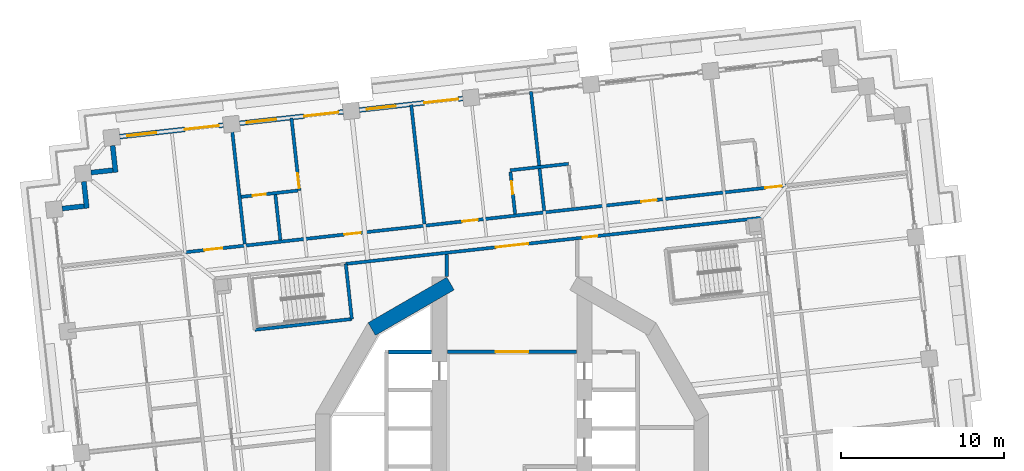
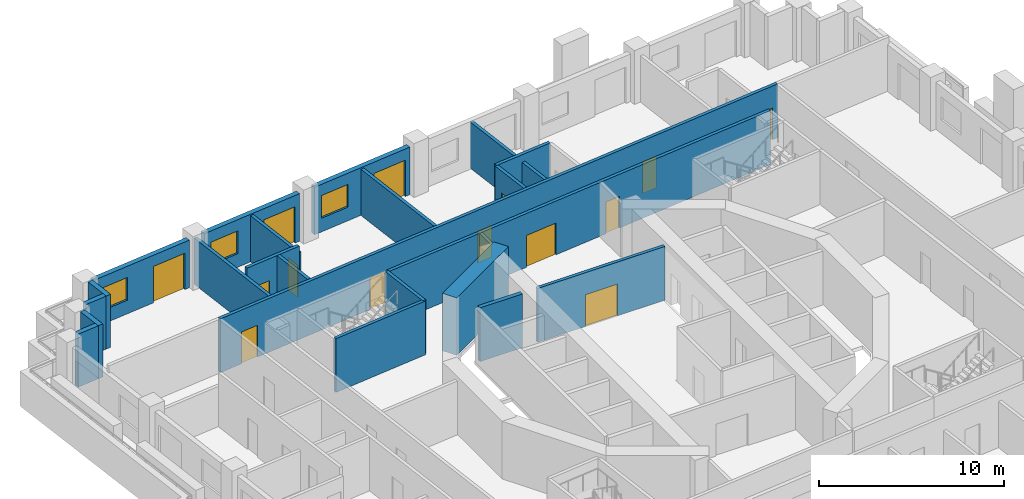
# One storey, part 8 of 18: 23 walls, 14 doors, 3 windows, 17 openings.
"""IFC4 building model written with IfcOpenShell, lengths in metres."""

from ifc_helpers import new_model, si_unit, direction, frame, frame_2d, origin, place, context, subcontext, project, spatial, rectangle, extrude, material, layer, layer_set, type_object, element, fill, save


model = new_model("IFC4")

# Units and contexts
model_context = context("Model", 3, precision=1e-05, world=origin(), true_north=direction((0.0, 1.0)))
body_context = subcontext(model_context, "Body", "Model", "MODEL_VIEW")
ifc_project = project(units=[si_unit("LENGTHUNIT", "METRE"), si_unit("AREAUNIT", "SQUARE_METRE"), si_unit("VOLUMEUNIT", "CUBIC_METRE"), si_unit("PLANEANGLEUNIT", "RADIAN"), si_unit("MASSUNIT", "GRAM", prefix="KILO")], contexts=[model_context])

# Site, building, storey
site_placement = place(None, origin())
site = spatial("IfcSite", under=ifc_project, at=site_placement, CompositionType="ELEMENT")
building_placement = place(site_placement, origin())
building = spatial("IfcBuilding", under=site, at=building_placement, Name="Cantera Rosa Tower", CompositionType="ELEMENT")
storey_placement = place(building_placement, frame((0.0, 0.0, 76.699951171875)))
storey = spatial("IfcBuildingStorey", under=building, at=storey_placement, Name="L16", CompositionType="ELEMENT", Elevation=76.699951171875)

# Wall
ifc_material_1 = material(Name="Gypsum board partition")
ifc_layer_1 = layer(ifc_material_1, 0.199951171875)
ifc_layer_set_1 = layer_set([ifc_layer_1], Name="CORRIDOR WALL 200 H3550")
wall_type_1 = type_object("IfcWallType", Name="CORRIDOR WALL 200 H3550", PredefinedType="PARTITIONING", material=ifc_layer_set_1)
wall_1_placement = place(storey_placement, frame((-4.0, 13.038818359375, 0.0), z_axis=(0.0, 0.0, 1.0), x_axis=(0.0, -1.0, 0.0)))
element("IfcWall", 1, at=wall_1_placement, inside=storey, type_object=wall_type_1, Name="CORRIDOR WALL L16-047", PredefinedType="PARTITIONING", context=body_context, shape_type="SweptSolid", body=[
    extrude(rectangle(XDim=1.37158203125, YDim=0.199951171875, at=frame_2d((0.685791015625, 0.0))), origin(), (0.0, 0.0, 1.0), 3.550048828125),
])

# Wall, opening, door
wall_2_placement = place(storey_placement, frame((-3.969970703125, 7.050048828125, 0.0), z_axis=(0.0, 0.0, 1.0), x_axis=(1.0, 0.0, 0.0)))
wall_2 = element("IfcWall", 2, at=wall_2_placement, inside=storey, type_object=wall_type_1, Name="CORRIDOR WALL L16-048", PredefinedType="PARTITIONING", context=body_context, shape_type="SweptSolid", body=[
    extrude(rectangle(XDim=7.93994140625, YDim=0.199951171875, at=frame_2d((3.969970703125, 0.0))), origin(), (0.0, 0.0, 1.0), 3.550048828125),
])
opening_1_placement = place(wall_2_placement, frame((2.969970703125, 0.0, 0.0)))
opening_1 = element("IfcOpeningElement", 3, at=opening_1_placement, cuts=wall_2, Name="Opening L16-011", PredefinedType="OPENING", context=body_context, shape_type="SweptSolid", body=[
    extrude(rectangle(XDim=2.0, YDim=2.10009765625, at=frame_2d((1.0, 1.050048828125))), frame((0.0, 0.10986328125, 0.0), z_axis=(0.0, -1.0, 0.0), x_axis=(1.0, 0.0, 0.0)), (0.0, 0.0, 1.0), 0.219970703125),
])
ifc_material_2 = material(Name="Steel S355J2 (EN 10025-2)", Category="steel")
door_type_1 = type_object("IfcDoorType", Name="LOBBY SCREEN DOOR 2000x2100", OperationType="NOTDEFINED", PredefinedType="DOOR", material=ifc_material_2)
door_1_placement = place(opening_1_placement, origin())
door_1 = element("IfcDoor", 4, at=door_1_placement, inside=storey, type_object=door_type_1, Name="DOOR L16-011", OperationType="NOTDEFINED", OverallHeight=2.10009765625, OverallWidth=2.0, PredefinedType="DOOR", context=body_context, shape_type="SweptSolid", body=[
    extrude(rectangle(XDim=2.0, YDim=2.10009765625, at=frame_2d((1.0, 1.050048828125))), frame((0.0, 0.02490234375, 0.0), z_axis=(0.0, -1.0, 0.0), x_axis=(1.0, 0.0, 0.0)), (0.0, 0.0, 1.0), 0.050048828125),
])
fill(opening_1, door_1)

# Wall, openings, doors
wall_3_placement = place(storey_placement, frame((15.3076171875, 15.281982421875, 0.0), z_axis=(0.0, 0.0, 1.0), x_axis=(-0.993896137152, -0.110319846599, 0.0)))
wall_3 = element("IfcWall", 5, at=wall_3_placement, inside=storey, type_object=wall_type_1, Name="CORRIDOR WALL L16-083", PredefinedType="PARTITIONING", context=body_context, shape_type="SweptSolid", body=[
    extrude(rectangle(XDim=25.67333984375, YDim=0.199951171875, at=frame_2d((12.836669921875, 0.0))), origin(), (0.0, 0.0, 1.0), 3.550048828125),
])
opening_2_placement = place(wall_3_placement, frame((10.141357421875, 0.0, 0.0)))
opening_2 = element("IfcOpeningElement", 6, at=opening_2_placement, cuts=wall_3, Name="Opening L16-005", PredefinedType="OPENING", context=body_context, shape_type="SweptSolid", body=[
    extrude(rectangle(XDim=0.89990234375, YDim=2.10009765625, at=frame_2d((0.449951171875, 1.050048828125))), frame((0.0, 0.10986328125, 0.0), z_axis=(0.0, -1.0, 0.0), x_axis=(1.0, 0.0, 0.0)), (0.0, 0.0, 1.0), 0.219970703125),
])
opening_3_placement = place(wall_3_placement, frame((14.401611328125, 0.0, 0.0)))
opening_3 = element("IfcOpeningElement", 7, at=opening_3_placement, cuts=wall_3, Name="Opening L16-010", PredefinedType="OPENING", context=body_context, shape_type="SweptSolid", body=[
    extrude(rectangle(XDim=2.0, YDim=2.10009765625, at=frame_2d((1.0, 1.050048828125))), frame((0.0, 0.10986328125, 0.0), z_axis=(0.0, -1.0, 0.0), x_axis=(1.0, 0.0, 0.0)), (0.0, 0.0, 1.0), 0.219970703125),
])
door_2_placement = place(opening_3_placement, origin())
door_2 = element("IfcDoor", 8, at=door_2_placement, inside=storey, type_object=door_type_1, Name="DOOR L16-010", OperationType="NOTDEFINED", OverallHeight=2.10009765625, OverallWidth=2.0, PredefinedType="DOOR", context=body_context, shape_type="SweptSolid", body=[
    extrude(rectangle(XDim=2.0, YDim=2.10009765625, at=frame_2d((1.0, 1.050048828125))), frame((0.0, 0.02490234375, 0.0), z_axis=(0.0, -1.0, 0.0), x_axis=(1.0, 0.0, 0.0)), (0.0, 0.0, 1.0), 0.050048828125),
])
fill(opening_3, door_2)
ifc_material_3 = material(Name="Timber door leaf", Category="wood")
door_type_2 = type_object("IfcDoorType", Name="SERVICE DOOR 900x2100", OperationType="NOTDEFINED", PredefinedType="DOOR", material=ifc_material_3)
door_3_placement = place(opening_2_placement, origin())
door_3 = element("IfcDoor", 9, at=door_3_placement, inside=storey, type_object=door_type_2, Name="DOOR L16-005", OperationType="NOTDEFINED", OverallHeight=2.10009765625, OverallWidth=0.89990234375, PredefinedType="DOOR", context=body_context, shape_type="SweptSolid", body=[
    extrude(rectangle(XDim=0.89990234375, YDim=2.10009765625, at=frame_2d((0.449951171875, 1.050048828125))), frame((0.0, 0.02490234375, 0.0), z_axis=(0.0, -1.0, 0.0), x_axis=(1.0, 0.0, 0.0)), (0.0, 0.0, 1.0), 0.050048828125),
])
fill(opening_2, door_3)

wall_4_placement = place(storey_placement, frame((16.898193359375, 17.26953125, 0.0), z_axis=(0.0, 0.0, 1.0), x_axis=(-0.993896862852, -0.11031330841, 0.0)))
wall_4 = element("IfcWall", 10, at=wall_4_placement, inside=storey, type_object=wall_type_1, Name="CORRIDOR WALL L16-091", PredefinedType="PARTITIONING", context=body_context, shape_type="SweptSolid", body=[
    extrude(rectangle(XDim=37.400146484375, YDim=0.199951171875, at=frame_2d((18.7001953125, 0.0))), origin(), (0.0, 0.0, 1.0), 3.550048828125),
])
opening_4_placement = place(wall_4_placement, frame((8.074951171875, 0.0, 0.0)))
opening_4 = element("IfcOpeningElement", 11, at=opening_4_placement, cuts=wall_4, Name="Opening L16-020", PredefinedType="OPENING", context=body_context, shape_type="SweptSolid", body=[
    extrude(rectangle(XDim=0.949951171875, YDim=2.10009765625, at=frame_2d((0.47509765625, 1.050048828125))), frame((0.0, 0.10986328125, 0.0), z_axis=(0.0, -1.0, 0.0), x_axis=(1.0, 0.0, 0.0)), (0.0, 0.0, 1.0), 0.219970703125),
])
opening_5_placement = place(wall_4_placement, frame((19.125, 0.0, 0.0)))
opening_5 = element("IfcOpeningElement", 12, at=opening_5_placement, cuts=wall_4, Name="Opening L16-022", PredefinedType="OPENING", context=body_context, shape_type="SweptSolid", body=[
    extrude(rectangle(XDim=0.949951171875, YDim=2.10009765625, at=frame_2d((0.47509765625, 1.050048828125))), frame((0.0, 0.10986328125, 0.0), z_axis=(0.0, -1.0, 0.0), x_axis=(1.0, 0.0, 0.0)), (0.0, 0.0, 1.0), 0.219970703125),
])
opening_6_placement = place(wall_4_placement, frame((26.35009765625, 0.0, 0.0)))
opening_6 = element("IfcOpeningElement", 13, at=opening_6_placement, cuts=wall_4, Name="Opening L16-024", PredefinedType="OPENING", context=body_context, shape_type="SweptSolid", body=[
    extrude(rectangle(XDim=1.0, YDim=2.10009765625, at=frame_2d((0.5, 1.050048828125))), frame((0.0, 0.10986328125, 0.0), z_axis=(0.0, -1.0, 0.0), x_axis=(1.0, 0.0, 0.0)), (0.0, 0.0, 1.0), 0.219970703125),
])
opening_7_placement = place(wall_4_placement, frame((0.35009765625, 0.0, 0.0)))
opening_7 = element("IfcOpeningElement", 14, at=opening_7_placement, cuts=wall_4, Name="Opening L16-027", PredefinedType="OPENING", context=body_context, shape_type="SweptSolid", body=[
    extrude(rectangle(XDim=1.0, YDim=2.10009765625, at=frame_2d((0.5, 1.050048828125))), frame((0.0, 0.10986328125, 0.0), z_axis=(0.0, -1.0, 0.0), x_axis=(1.0, 0.0, 0.0)), (0.0, 0.0, 1.0), 0.219970703125),
])
opening_8_placement = place(wall_4_placement, frame((34.89990234375, 0.0, 0.0)))
opening_8 = element("IfcOpeningElement", 15, at=opening_8_placement, cuts=wall_4, Name="Opening L16-029", PredefinedType="OPENING", context=body_context, shape_type="SweptSolid", body=[
    extrude(rectangle(XDim=1.10009765625, YDim=2.10009765625, at=frame_2d((0.550048828125, 1.050048828125))), frame((0.0, 0.10986328125, 0.0), z_axis=(0.0, -1.0, 0.0), x_axis=(1.0, 0.0, 0.0)), (0.0, 0.0, 1.0), 0.219970703125),
])
ifc_material_4 = material(Name="Timber door leaf", Category="wood")
door_type_3 = type_object("IfcDoorType", Name="ENTRANCE DOOR 1000x2100", OperationType="NOTDEFINED", PredefinedType="DOOR", material=ifc_material_4)
door_4_placement = place(opening_6_placement, origin())
door_4 = element("IfcDoor", 16, at=door_4_placement, inside=storey, type_object=door_type_3, Name="DOOR L16-024", OperationType="NOTDEFINED", OverallHeight=2.10009765625, OverallWidth=1.0, PredefinedType="DOOR", context=body_context, shape_type="SweptSolid", body=[
    extrude(rectangle(XDim=1.0, YDim=2.10009765625, at=frame_2d((0.5, 1.050048828125))), frame((0.0, 0.02490234375, 0.0), z_axis=(0.0, -1.0, 0.0), x_axis=(1.0, 0.0, 0.0)), (0.0, 0.0, 1.0), 0.050048828125),
])
fill(opening_6, door_4)
door_5_placement = place(opening_7_placement, origin())
door_5 = element("IfcDoor", 17, at=door_5_placement, inside=storey, type_object=door_type_3, Name="DOOR L16-027", OperationType="NOTDEFINED", OverallHeight=2.10009765625, OverallWidth=1.0, PredefinedType="DOOR", context=body_context, shape_type="SweptSolid", body=[
    extrude(rectangle(XDim=1.0, YDim=2.10009765625, at=frame_2d((0.5, 1.050048828125))), frame((0.0, 0.02490234375, 0.0), z_axis=(0.0, -1.0, 0.0), x_axis=(1.0, 0.0, 0.0)), (0.0, 0.0, 1.0), 0.050048828125),
])
fill(opening_7, door_5)
ifc_material_5 = material(Name="Timber door leaf", Category="wood")
door_type_4 = type_object("IfcDoorType", Name="ROOM DOOR 1100x2100", OperationType="NOTDEFINED", PredefinedType="DOOR", material=ifc_material_5)
door_6_placement = place(opening_8_placement, origin())
door_6 = element("IfcDoor", 18, at=door_6_placement, inside=storey, type_object=door_type_4, Name="DOOR L16-029", OperationType="NOTDEFINED", OverallHeight=2.10009765625, OverallWidth=1.10009765625, PredefinedType="DOOR", context=body_context, shape_type="SweptSolid", body=[
    extrude(rectangle(XDim=1.10009765625, YDim=2.10009765625, at=frame_2d((0.550048828125, 1.050048828125))), frame((0.0, 0.02490234375, 0.0), z_axis=(0.0, -1.0, 0.0), x_axis=(1.0, 0.0, 0.0)), (0.0, 0.0, 1.0), 0.050048828125),
])
fill(opening_8, door_6)
ifc_material_6 = material(Name="Timber door leaf", Category="wood")
door_type_5 = type_object("IfcDoorType", Name="ROOM DOOR 950x2100", OperationType="NOTDEFINED", PredefinedType="DOOR", material=ifc_material_6)
door_7_placement = place(opening_4_placement, origin())
door_7 = element("IfcDoor", 19, at=door_7_placement, inside=storey, type_object=door_type_5, Name="DOOR L16-020", OperationType="NOTDEFINED", OverallHeight=2.10009765625, OverallWidth=0.949951171875, PredefinedType="DOOR", context=body_context, shape_type="SweptSolid", body=[
    extrude(rectangle(XDim=0.949951171875, YDim=2.10009765625, at=frame_2d((0.47509765625, 1.050048828125))), frame((0.0, 0.02490234375, 0.0), z_axis=(0.0, -1.0, 0.0), x_axis=(1.0, 0.0, 0.0)), (0.0, 0.0, 1.0), 0.050048828125),
])
fill(opening_4, door_7)
door_8_placement = place(opening_5_placement, origin())
door_8 = element("IfcDoor", 20, at=door_8_placement, inside=storey, type_object=door_type_5, Name="DOOR L16-022", OperationType="NOTDEFINED", OverallHeight=2.10009765625, OverallWidth=0.949951171875, PredefinedType="DOOR", context=body_context, shape_type="SweptSolid", body=[
    extrude(rectangle(XDim=0.949951171875, YDim=2.10009765625, at=frame_2d((0.47509765625, 1.050048828125))), frame((0.0, 0.02490234375, 0.0), z_axis=(0.0, -1.0, 0.0), x_axis=(1.0, 0.0, 0.0)), (0.0, 0.0, 1.0), 0.050048828125),
])
fill(opening_5, door_8)

# Walls
ifc_material_7 = material(Name="Hollow clay masonry with cantera stone cladding", Category="masonry")
ifc_layer_2 = layer(ifc_material_7, 0.300048828125)
ifc_layer_set_2 = layer_set([ifc_layer_2], Name="EW-LOGGIA 300")
wall_type_2 = type_object("IfcWallType", Name="EW-LOGGIA 300", PredefinedType="SOLIDWALL", material=ifc_layer_set_2)
wall_5_placement = place(storey_placement, frame((-24.5244140625, 19.71484375, 0.0), z_axis=(0.0, 0.0, 1.0), x_axis=(0.110236638423, -0.993905369514, 0.0)))
element("IfcWall", 21, at=wall_5_placement, inside=storey, type_object=wall_type_2, Name="EN-L16-W14a", PredefinedType="SOLIDWALL", context=body_context, shape_type="SweptSolid", body=[
    extrude(rectangle(XDim=1.64990234375, YDim=0.300048828125, at=frame_2d((0.824951171875, 0.0))), origin(), (0.0, 0.0, 1.0), 3.5),
])
wall_6_placement = place(storey_placement, frame((-24.508056640625, 18.20751953125, 0.0), z_axis=(0.0, 0.0, 1.0), x_axis=(-0.993896959738, -0.110312435488, 0.0)))
element("IfcWall", 22, at=wall_6_placement, inside=storey, type_object=wall_type_2, Name="EN-L16-W14b", PredefinedType="SOLIDWALL", context=body_context, shape_type="SweptSolid", body=[
    extrude(rectangle(XDim=1.35009765625, YDim=0.300048828125, at=frame_2d((0.675048828125, 0.0))), origin(), (0.0, 0.0, 1.0), 3.5),
])
wall_7_placement = place(storey_placement, frame((-26.291748046875, 17.506591796875, 0.0), z_axis=(0.0, 0.0, 1.0), x_axis=(0.110382805355, -0.993889146878, 0.0)))
element("IfcWall", 23, at=wall_7_placement, inside=storey, type_object=wall_type_2, Name="EN-L16-W15a", PredefinedType="SOLIDWALL", context=body_context, shape_type="SweptSolid", body=[
    extrude(rectangle(XDim=1.64990234375, YDim=0.300048828125, at=frame_2d((0.824951171875, 0.0))), origin(), (0.0, 0.0, 1.0), 3.5),
])
wall_8_placement = place(storey_placement, frame((-26.275146484375, 15.999267578125, 0.0), z_axis=(0.0, 0.0, 1.0), x_axis=(-0.993896959738, -0.110312435488, 0.0)))
element("IfcWall", 24, at=wall_8_placement, inside=storey, type_object=wall_type_2, Name="EN-L16-W15b", PredefinedType="SOLIDWALL", context=body_context, shape_type="SweptSolid", body=[
    extrude(rectangle(XDim=1.35009765625, YDim=0.300048828125, at=frame_2d((0.675048828125, 0.0))), origin(), (0.0, 0.0, 1.0), 3.5),
])

# Wall, openings, window, door
ifc_material_8 = material(Name="Hollow clay masonry with cantera stone cladding", Category="masonry")
ifc_layer_3 = layer(ifc_material_8, 0.300048828125)
ifc_layer_set_3 = layer_set([ifc_layer_3], Name="EW-LOGGIA 300 H3140")
wall_type_3 = type_object("IfcWallType", Name="EW-LOGGIA 300 H3140", PredefinedType="SOLIDWALL", material=ifc_layer_set_3)
wall_9_placement = place(storey_placement, frame((-3.011962890625, 22.605712890625, 0.0), z_axis=(0.0, 0.0, 1.0), x_axis=(-0.993896288542, -0.110318482689, 0.0)))
wall_9 = element("IfcWall", 25, at=wall_9_placement, inside=storey, type_object=wall_type_3, Name="EN-L16-W11", PredefinedType="SOLIDWALL", context=body_context, shape_type="SweptSolid", body=[
    extrude(rectangle(XDim=6.400146484375, YDim=0.300048828125, at=frame_2d((3.2001953125, 0.0))), origin(), (0.0, 0.0, 1.0), 3.14013671875),
])
opening_9_placement = place(wall_9_placement, frame((0.300048828125, 0.0, 0.0)))
opening_9 = element("IfcOpeningElement", 26, at=opening_9_placement, cuts=wall_9, Name="Opening L16-TD17", PredefinedType="OPENING", context=body_context, shape_type="SweptSolid", body=[
    extrude(rectangle(XDim=2.10009765625, YDim=2.39990234375, at=frame_2d((1.050048828125, 1.199951171875))), frame((0.0, 0.159912109375, 0.0), z_axis=(0.0, -1.0, 0.0), x_axis=(1.0, 0.0, 0.0)), (0.0, 0.0, 1.0), 0.320068359375),
])
opening_10_placement = place(wall_9_placement, frame((4.14990234375, 0.0, 0.89990234375)))
opening_10 = element("IfcOpeningElement", 27, at=opening_10_placement, cuts=wall_9, Name="Opening L16-W18", PredefinedType="OPENING", context=body_context, shape_type="SweptSolid", body=[
    extrude(rectangle(XDim=1.800048828125, YDim=1.5, at=frame_2d((0.89990234375, 0.75))), frame((0.0, 0.159912109375, 0.0), z_axis=(0.0, -1.0, 0.0), x_axis=(1.0, 0.0, 0.0)), (0.0, 0.0, 1.0), 0.320068359375),
])
ifc_material_9 = material(Name="Aluminium frame with clear glass", Category="aluminium")
window_type = type_object("IfcWindowType", Name="Hotel room window 1800x1500", PartitioningType="DOUBLE_PANEL_VERTICAL", PredefinedType="WINDOW", material=ifc_material_9)
window_1_placement = place(opening_10_placement, origin())
window_1 = element("IfcWindow", 28, at=window_1_placement, inside=storey, type_object=window_type, Name="WINDOW L16-W18", OverallHeight=1.5, OverallWidth=1.800048828125, PartitioningType="SINGLE_PANEL", PredefinedType="WINDOW", context=body_context, shape_type="SweptSolid", body=[
    extrude(rectangle(XDim=1.800048828125, YDim=1.5, at=frame_2d((0.89990234375, 0.75))), frame((0.0, 0.030029296875, 0.0), z_axis=(0.0, -1.0, 0.0), x_axis=(1.0, 0.0, 0.0)), (0.0, 0.0, 1.0), 0.06005859375),
])
fill(opening_10, window_1)
ifc_material_10 = material(Name="Aluminium frame with clear glass", Category="aluminium")
door_type_6 = type_object("IfcDoorType", Name="TD-H 2100x2400", OperationType="NOTDEFINED", PredefinedType="DOOR", material=ifc_material_10)
door_9_placement = place(opening_9_placement, origin())
door_9 = element("IfcDoor", 29, at=door_9_placement, inside=storey, type_object=door_type_6, Name="LOGGIA DOOR L16-TD17", OperationType="SLIDING_TO_LEFT", OverallHeight=2.39990234375, OverallWidth=2.10009765625, PredefinedType="DOOR", context=body_context, shape_type="SweptSolid", body=[
    extrude(rectangle(XDim=2.10009765625, YDim=2.39990234375, at=frame_2d((1.050048828125, 1.199951171875))), frame((0.0, 0.02490234375, 0.0), z_axis=(0.0, -1.0, 0.0), x_axis=(1.0, 0.0, 0.0)), (0.0, 0.0, 1.0), 0.050048828125),
])
fill(opening_9, door_9)

wall_10_placement = place(storey_placement, frame((-10.366943359375, 21.789306640625, 0.0), z_axis=(0.0, 0.0, 1.0), x_axis=(-0.993900006422, -0.110284981906, 0.0)))
wall_10 = element("IfcWall", 30, at=wall_10_placement, inside=storey, type_object=wall_type_3, Name="EN-L16-W12", PredefinedType="SOLIDWALL", context=body_context, shape_type="SweptSolid", body=[
    extrude(rectangle(XDim=6.39990234375, YDim=0.300048828125, at=frame_2d((3.199951171875, 0.0))), origin(), (0.0, 0.0, 1.0), 3.14013671875),
])
opening_11_placement = place(wall_10_placement, frame((0.300048828125, 0.0, 0.0)))
opening_11 = element("IfcOpeningElement", 31, at=opening_11_placement, cuts=wall_10, Name="Opening L16-TD19", PredefinedType="OPENING", context=body_context, shape_type="SweptSolid", body=[
    extrude(rectangle(XDim=2.10009765625, YDim=2.39990234375, at=frame_2d((1.050048828125, 1.199951171875))), frame((0.0, 0.159912109375, 0.0), z_axis=(0.0, -1.0, 0.0), x_axis=(1.0, 0.0, 0.0)), (0.0, 0.0, 1.0), 0.320068359375),
])
opening_12_placement = place(wall_10_placement, frame((4.14990234375, 0.0, 0.89990234375)))
opening_12 = element("IfcOpeningElement", 32, at=opening_12_placement, cuts=wall_10, Name="Opening L16-W20", PredefinedType="OPENING", context=body_context, shape_type="SweptSolid", body=[
    extrude(rectangle(XDim=1.800048828125, YDim=1.5, at=frame_2d((0.89990234375, 0.75))), frame((0.0, 0.159912109375, 0.0), z_axis=(0.0, -1.0, 0.0), x_axis=(1.0, 0.0, 0.0)), (0.0, 0.0, 1.0), 0.320068359375),
])
window_2_placement = place(opening_12_placement, origin())
window_2 = element("IfcWindow", 33, at=window_2_placement, inside=storey, type_object=window_type, Name="WINDOW L16-W20", OverallHeight=1.5, OverallWidth=1.800048828125, PartitioningType="SINGLE_PANEL", PredefinedType="WINDOW", context=body_context, shape_type="SweptSolid", body=[
    extrude(rectangle(XDim=1.800048828125, YDim=1.5, at=frame_2d((0.89990234375, 0.75))), frame((0.0, 0.030029296875, 0.0), z_axis=(0.0, -1.0, 0.0), x_axis=(1.0, 0.0, 0.0)), (0.0, 0.0, 1.0), 0.06005859375),
])
fill(opening_12, window_2)
door_10_placement = place(opening_11_placement, origin())
door_10 = element("IfcDoor", 34, at=door_10_placement, inside=storey, type_object=door_type_6, Name="LOGGIA DOOR L16-TD19", OperationType="SLIDING_TO_LEFT", OverallHeight=2.39990234375, OverallWidth=2.10009765625, PredefinedType="DOOR", context=body_context, shape_type="SweptSolid", body=[
    extrude(rectangle(XDim=2.10009765625, YDim=2.39990234375, at=frame_2d((1.050048828125, 1.199951171875))), frame((0.0, 0.02490234375, 0.0), z_axis=(0.0, -1.0, 0.0), x_axis=(1.0, 0.0, 0.0)), (0.0, 0.0, 1.0), 0.050048828125),
])
fill(opening_11, door_10)

wall_11_placement = place(storey_placement, frame((-17.7216796875, 20.97314453125, 0.0), z_axis=(0.0, 0.0, 1.0), x_axis=(-0.993896288542, -0.110318482689, 0.0)))
wall_11 = element("IfcWall", 35, at=wall_11_placement, inside=storey, type_object=wall_type_3, Name="EN-L16-W13", PredefinedType="SOLIDWALL", context=body_context, shape_type="SweptSolid", body=[
    extrude(rectangle(XDim=6.400146484375, YDim=0.300048828125, at=frame_2d((3.2001953125, 0.0))), origin(), (0.0, 0.0, 1.0), 3.14013671875),
])
opening_13_placement = place(wall_11_placement, frame((0.300048828125, 0.0, 0.0)))
opening_13 = element("IfcOpeningElement", 36, at=opening_13_placement, cuts=wall_11, Name="Opening L16-TD21", PredefinedType="OPENING", context=body_context, shape_type="SweptSolid", body=[
    extrude(rectangle(XDim=2.10009765625, YDim=2.39990234375, at=frame_2d((1.050048828125, 1.199951171875))), frame((0.0, 0.159912109375, 0.0), z_axis=(0.0, -1.0, 0.0), x_axis=(1.0, 0.0, 0.0)), (0.0, 0.0, 1.0), 0.320068359375),
])
opening_14_placement = place(wall_11_placement, frame((4.14990234375, 0.0, 0.89990234375)))
opening_14 = element("IfcOpeningElement", 37, at=opening_14_placement, cuts=wall_11, Name="Opening L16-W22", PredefinedType="OPENING", context=body_context, shape_type="SweptSolid", body=[
    extrude(rectangle(XDim=1.800048828125, YDim=1.5, at=frame_2d((0.89990234375, 0.75))), frame((0.0, 0.159912109375, 0.0), z_axis=(0.0, -1.0, 0.0), x_axis=(1.0, 0.0, 0.0)), (0.0, 0.0, 1.0), 0.320068359375),
])
window_3_placement = place(opening_14_placement, origin())
window_3 = element("IfcWindow", 38, at=window_3_placement, inside=storey, type_object=window_type, Name="WINDOW L16-W22", OverallHeight=1.5, OverallWidth=1.800048828125, PartitioningType="SINGLE_PANEL", PredefinedType="WINDOW", context=body_context, shape_type="SweptSolid", body=[
    extrude(rectangle(XDim=1.800048828125, YDim=1.5, at=frame_2d((0.89990234375, 0.75))), frame((0.0, 0.030029296875, 0.0), z_axis=(0.0, -1.0, 0.0), x_axis=(1.0, 0.0, 0.0)), (0.0, 0.0, 1.0), 0.06005859375),
])
fill(opening_14, window_3)
door_11_placement = place(opening_13_placement, origin())
door_11 = element("IfcDoor", 39, at=door_11_placement, inside=storey, type_object=door_type_6, Name="LOGGIA DOOR L16-TD21", OperationType="SLIDING_TO_LEFT", OverallHeight=2.39990234375, OverallWidth=2.10009765625, PredefinedType="DOOR", context=body_context, shape_type="SweptSolid", body=[
    extrude(rectangle(XDim=2.10009765625, YDim=2.39990234375, at=frame_2d((1.050048828125, 1.199951171875))), frame((0.0, 0.02490234375, 0.0), z_axis=(0.0, -1.0, 0.0), x_axis=(1.0, 0.0, 0.0)), (0.0, 0.0, 1.0), 0.050048828125),
])
fill(opening_13, door_11)

# Wall, opening, door
ifc_material_11 = material(Name="Gypsum board partition")
ifc_layer_4 = layer(ifc_material_11, 0.199951171875)
ifc_layer_set_4 = layer_set([ifc_layer_4], Name="PARTITION 200 H3050")
wall_type_4 = type_object("IfcWallType", Name="PARTITION 200 H3050", PredefinedType="PARTITIONING", material=ifc_layer_set_4)
wall_12_placement = place(storey_placement, frame((-13.544189453125, 21.406494140625, 0.0), z_axis=(0.0, 0.0, 1.0), x_axis=(0.11032961514, -0.993895052822, 0.0)))
wall_12 = element("IfcWall", 40, at=wall_12_placement, inside=storey, type_object=wall_type_4, Name="PARTITION L16-025", PredefinedType="PARTITIONING", context=body_context, shape_type="SweptSolid", body=[
    extrude(rectangle(XDim=4.469970703125, YDim=0.199951171875, at=frame_2d((2.23486328125, 0.0))), origin(), (0.0, 0.0, 1.0), 3.050048828125),
])
opening_15_placement = place(wall_12_placement, frame((3.419921875, 0.0, 0.0)))
opening_15 = element("IfcOpeningElement", 41, at=opening_15_placement, cuts=wall_12, Name="Opening L16-025", PredefinedType="OPENING", context=body_context, shape_type="SweptSolid", body=[
    extrude(rectangle(XDim=0.89990234375, YDim=2.10009765625, at=frame_2d((0.449951171875, 1.050048828125))), frame((0.0, 0.10986328125, 0.0), z_axis=(0.0, -1.0, 0.0), x_axis=(1.0, 0.0, 0.0)), (0.0, 0.0, 1.0), 0.219970703125),
])
ifc_material_12 = material(Name="Timber door leaf", Category="wood")
door_type_7 = type_object("IfcDoorType", Name="ROOM DOOR 900x2100", OperationType="NOTDEFINED", PredefinedType="DOOR", material=ifc_material_12)
door_12_placement = place(opening_15_placement, origin())
door_12 = element("IfcDoor", 42, at=door_12_placement, inside=storey, type_object=door_type_7, Name="DOOR L16-025", OperationType="NOTDEFINED", OverallHeight=2.10009765625, OverallWidth=0.89990234375, PredefinedType="DOOR", context=body_context, shape_type="SweptSolid", body=[
    extrude(rectangle(XDim=0.89990234375, YDim=2.10009765625, at=frame_2d((0.449951171875, 1.050048828125))), frame((0.0, 0.02490234375, 0.0), z_axis=(0.0, -1.0, 0.0), x_axis=(1.0, 0.0, 0.0)), (0.0, 0.0, 1.0), 0.050048828125),
])
fill(opening_15, door_12)

# Wall
ifc_material_13 = material(Name="Gypsum board partition")
ifc_layer_5 = layer(ifc_material_13, 0.199951171875)
ifc_layer_set_5 = layer_set([ifc_layer_5], Name="PARTITION 200 H3550")
wall_type_5 = type_object("IfcWallType", Name="PARTITION 200 H3550", PredefinedType="PARTITIONING", material=ifc_layer_set_5)
wall_13_placement = place(storey_placement, frame((-14.53076171875, 16.698974609375, 0.0), z_axis=(0.0, 0.0, 1.0), x_axis=(0.110297547524, -0.993898612038, 0.0)))
element("IfcWall", 43, at=wall_13_placement, inside=storey, type_object=wall_type_5, Name="PARTITION L16-022", PredefinedType="PARTITIONING", context=body_context, shape_type="SweptSolid", body=[
    extrude(rectangle(XDim=2.800048828125, YDim=0.199951171875, at=frame_2d((1.39990234375, 0.0))), origin(), (0.0, 0.0, 1.0), 3.550048828125),
])

# Wall, opening, door
wall_14_placement = place(storey_placement, frame((-13.150390625, 16.952880859375, 0.0), z_axis=(0.0, 0.0, 1.0), x_axis=(-0.993892238629, -0.11035496361, 0.0)))
wall_14 = element("IfcWall", 44, at=wall_14_placement, inside=storey, type_object=wall_type_5, Name="PARTITION L16-026", PredefinedType="PARTITIONING", context=body_context, shape_type="SweptSolid", body=[
    extrude(rectangle(XDim=3.5, YDim=0.199951171875, at=frame_2d((1.75, 0.0))), origin(), (0.0, 0.0, 1.0), 3.550048828125),
])
opening_16_placement = place(wall_14_placement, frame((1.989990234375, 0.0, 0.0)))
opening_16 = element("IfcOpeningElement", 45, at=opening_16_placement, cuts=wall_14, Name="Opening L16-026", PredefinedType="OPENING", context=body_context, shape_type="SweptSolid", body=[
    extrude(rectangle(XDim=0.800048828125, YDim=2.10009765625, at=frame_2d((0.39990234375, 1.050048828125))), frame((0.0, 0.10986328125, 0.0), z_axis=(0.0, -1.0, 0.0), x_axis=(1.0, 0.0, 0.0)), (0.0, 0.0, 1.0), 0.219970703125),
])
ifc_material_14 = material(Name="Timber door leaf", Category="wood")
door_type_8 = type_object("IfcDoorType", Name="BATHROOM DOOR 800x2100", OperationType="NOTDEFINED", PredefinedType="DOOR", material=ifc_material_14)
door_13_placement = place(opening_16_placement, origin())
door_13 = element("IfcDoor", 46, at=door_13_placement, inside=storey, type_object=door_type_8, Name="DOOR L16-026", OperationType="NOTDEFINED", OverallHeight=2.10009765625, OverallWidth=0.800048828125, PredefinedType="DOOR", context=body_context, shape_type="SweptSolid", body=[
    extrude(rectangle(XDim=0.800048828125, YDim=2.10009765625, at=frame_2d((0.39990234375, 1.050048828125))), frame((0.0, 0.02490234375, 0.0), z_axis=(0.0, -1.0, 0.0), x_axis=(1.0, 0.0, 0.0)), (0.0, 0.0, 1.0), 0.050048828125),
])
fill(opening_16, door_13)

# Wall
wall_15_placement = place(storey_placement, frame((-0.1083984375, 18.19921875, 0.0), z_axis=(0.0, 0.0, 1.0), x_axis=(0.993901915549, 0.110267775292, 0.0)))
element("IfcWall", 47, at=wall_15_placement, inside=storey, type_object=wall_type_5, Name="PARTITION L16-049", PredefinedType="PARTITIONING", context=body_context, shape_type="SweptSolid", body=[
    extrude(rectangle(XDim=3.60009765625, YDim=0.199951171875, at=frame_2d((1.800048828125, 0.0))), origin(), (0.0, 0.0, 1.0), 3.550048828125),
])

# Wall, opening, door
wall_16_placement = place(storey_placement, frame((0.189697265625, 15.515625, 0.0), z_axis=(0.0, 0.0, 1.0), x_axis=(-0.110338765449, 0.993894037028, 0.0)))
wall_16 = element("IfcWall", 48, at=wall_16_placement, inside=storey, type_object=wall_type_5, Name="PARTITION L16-050", PredefinedType="PARTITIONING", context=body_context, shape_type="SweptSolid", body=[
    extrude(rectangle(XDim=2.599853515625, YDim=0.199951171875, at=frame_2d((1.2998046875, 0.0))), origin(), (0.0, 0.0, 1.0), 3.550048828125),
])
opening_17_placement = place(wall_16_placement, frame((1.236083984375, 0.0, 0.0)))
opening_17 = element("IfcOpeningElement", 49, at=opening_17_placement, cuts=wall_16, Name="Opening L16-023", PredefinedType="OPENING", context=body_context, shape_type="SweptSolid", body=[
    extrude(rectangle(XDim=0.800048828125, YDim=2.10009765625, at=frame_2d((0.39990234375, 1.050048828125))), frame((0.0, 0.10986328125, 0.0), z_axis=(0.0, -1.0, 0.0), x_axis=(1.0, 0.0, 0.0)), (0.0, 0.0, 1.0), 0.219970703125),
])
door_14_placement = place(opening_17_placement, origin())
door_14 = element("IfcDoor", 50, at=door_14_placement, inside=storey, type_object=door_type_8, Name="DOOR L16-023", OperationType="NOTDEFINED", OverallHeight=2.10009765625, OverallWidth=0.800048828125, PredefinedType="DOOR", context=body_context, shape_type="SweptSolid", body=[
    extrude(rectangle(XDim=0.800048828125, YDim=2.10009765625, at=frame_2d((0.39990234375, 1.050048828125))), frame((0.0, 0.02490234375, 0.0), z_axis=(0.0, -1.0, 0.0), x_axis=(1.0, 0.0, 0.0)), (0.0, 0.0, 1.0), 0.050048828125),
])
fill(opening_17, door_14)

# Walls
ifc_material_15 = material(Name="Gypsum board partition")
ifc_layer_6 = layer(ifc_material_15, 0.199951171875)
ifc_layer_set_6 = layer_set([ifc_layer_6], Name="PARTY WALL 200 H3050")
wall_type_6 = type_object("IfcWallType", Name="PARTY WALL 200 H3050", PredefinedType="PARTITIONING", material=ifc_layer_set_6)
for number, where, z_axis, x_axis, name in (
    (51, (-16.408447265625, 13.67333984375, 0.0), (0.0, 0.0, 1.0), (-0.11031154238, 0.993897058864, 0.0), "PARTY WALL L16-016"),
    (52, (-5.376220703125, 14.89794921875, 0.0), (0.0, 0.0, 1.0), (-0.11031154238, 0.993897058864, 0.0), "PARTY WALL L16-044"),
):
    element("IfcWall", number, at=place(storey_placement, frame(where, z_axis=z_axis, x_axis=x_axis)), inside=storey, type_object=wall_type_6, Name=name, PredefinedType="PARTITIONING", context=body_context, shape_type="SweptSolid", body=[
        extrude(rectangle(XDim=7.369873046875, YDim=0.199951171875, at=frame_2d((3.68505859375, 0.0))), origin(), (0.0, 0.0, 1.0), 3.050048828125),
    ])
wall_17_placement = place(storey_placement, frame((1.978515625, 15.714111328125, 0.0), z_axis=(0.0, 0.0, 1.0), x_axis=(-0.110307910555, 0.993897461949, 0.0)))
element("IfcWall", 53, at=wall_17_placement, inside=storey, type_object=wall_type_6, Name="PARTY WALL L16-053", PredefinedType="PARTITIONING", context=body_context, shape_type="SweptSolid", body=[
    extrude(rectangle(XDim=7.3701171875, YDim=0.199951171875, at=frame_2d((3.68505859375, 0.0))), origin(), (0.0, 0.0, 1.0), 3.050048828125),
])
ifc_material_16 = material(Name="Concrete C70/85", Category="concrete")
ifc_layer_7 = layer(ifc_material_16, 0.89990234375)
ifc_layer_set_7 = layer_set([ifc_layer_7], Name="RC CORE WALL 900 C70/85")
wall_type_7 = type_object("IfcWallType", Name="RC CORE WALL 900 C70/85", PredefinedType="SHEAR", material=ifc_layer_set_7)
wall_18_placement = place(storey_placement, frame((-8.61376953125, 8.44921875, 0.0), z_axis=(0.0, 0.0, 1.0), x_axis=(0.866026961591, 0.49999730179, 0.0)))
element("IfcWall", 54, at=wall_18_placement, inside=storey, type_object=wall_type_7, Name="CW-W5 L16", PredefinedType="SHEAR", context=body_context, shape_type="SweptSolid", body=[
    extrude(rectangle(XDim=5.58740234375, YDim=0.89990234375, at=frame_2d((2.793701171875, 0.0))), origin(), (0.0, 0.0, 1.0), 3.800048828125),
])
ifc_material_17 = material(Name="Masonry blockwork", Category="masonry")
ifc_layer_8 = layer(ifc_material_17, 0.25)
ifc_layer_set_8 = layer_set([ifc_layer_8], Name="SHAFT WALL 250 H3550")
wall_type_8 = type_object("IfcWallType", Name="SHAFT WALL 250 H3550", PredefinedType="SOLIDWALL", material=ifc_layer_set_8)
wall_19_placement = place(storey_placement, frame((-4.929931640625, 7.050048828125, 0.0), z_axis=(0.0, 0.0, 1.0), x_axis=(-1.0, 0.0, 0.0)))
element("IfcWall", 55, at=wall_19_placement, inside=storey, type_object=wall_type_8, Name="SHAFT WALL L16-045", PredefinedType="SOLIDWALL", context=body_context, shape_type="SweptSolid", body=[
    extrude(rectangle(XDim=2.650146484375, YDim=0.25, at=frame_2d((1.3251953125, 0.0))), origin(), (0.0, 0.0, 1.0), 3.550048828125),
])
ifc_material_18 = material(Name="Concrete C50/60", Category="concrete")
ifc_layer_9 = layer(ifc_material_18, 0.199951171875)
ifc_layer_set_9 = layer_set([ifc_layer_9], Name="STAIR WALL 200 H3550")
wall_type_9 = type_object("IfcWallType", Name="STAIR WALL 200 H3550", PredefinedType="SOLIDWALL", material=ifc_layer_set_9)
wall_20_placement = place(storey_placement, frame((-15.796875, 8.404296875, 0.0), z_axis=(0.0, 0.0, 1.0), x_axis=(0.993897125329, 0.110310943534, 0.0)))
element("IfcWall", 56, at=wall_20_placement, inside=storey, type_object=wall_type_9, Name="STAIR WALL L16-019", PredefinedType="SOLIDWALL", context=body_context, shape_type="SweptSolid", body=[
    extrude(rectangle(XDim=6.0, YDim=0.199951171875, at=frame_2d((3.0, 0.0))), origin(), (0.0, 0.0, 1.0), 3.550048828125),
])
wall_21_placement = place(storey_placement, frame((-9.83349609375, 9.066162109375, 0.0), z_axis=(0.0, 0.0, 1.0), x_axis=(-0.110297715324, 0.993898593416, 0.0)))
element("IfcWall", 57, at=wall_21_placement, inside=storey, type_object=wall_type_9, Name="STAIR WALL L16-033", PredefinedType="SOLIDWALL", context=body_context, shape_type="SweptSolid", body=[
    extrude(rectangle(XDim=3.404296875, YDim=0.199951171875, at=frame_2d((1.7021484375, 0.0))), origin(), (0.0, 0.0, 1.0), 3.550048828125),
])

save(model, "model.ifc")
